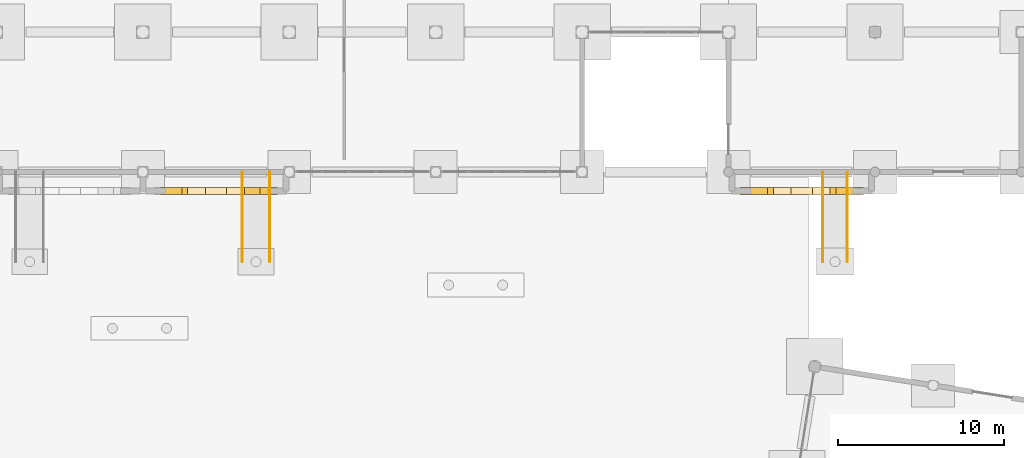
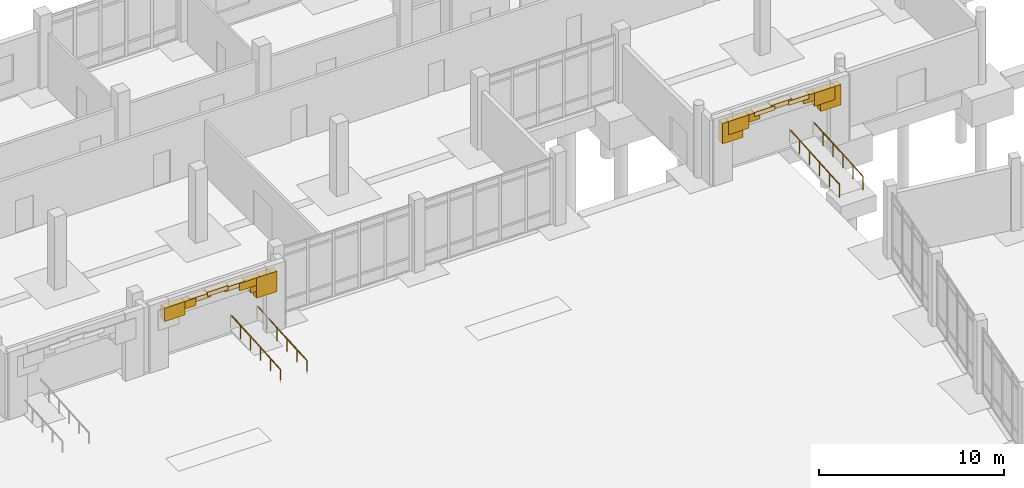
# One storey, part 66 of 72: 17 coverings, 4 railings.
"""IFC4 building model written with IfcOpenShell, lengths in metres."""

from ifc_helpers import new_model, si_unit, direction, frame, origin, origin_2d, place, context, subcontext, project, spatial, rectangle, circle, extrude, material, layer, layer_set, type_object, element, save


model = new_model("IFC4")

# Units and contexts
model_context = context("Model", 3, precision=1e-05, world=origin(), true_north=direction((0.0, 1.0)))
body_context = subcontext(model_context, "Body", "Model", "MODEL_VIEW")
ifc_project = project(units=[si_unit("LENGTHUNIT", "METRE"), si_unit("AREAUNIT", "SQUARE_METRE"), si_unit("VOLUMEUNIT", "CUBIC_METRE"), si_unit("PLANEANGLEUNIT", "RADIAN"), si_unit("MASSUNIT", "GRAM", prefix="KILO")], contexts=[model_context])

# Site, building, storey
site_placement = place(None, origin())
site = spatial("IfcSite", under=ifc_project, at=site_placement, CompositionType="ELEMENT")
building_placement = place(site_placement, origin())
building = spatial("IfcBuilding", under=site, at=building_placement, Name="Cinderway Yard Community Centre", CompositionType="ELEMENT")
storey_placement = place(building_placement, origin())
storey = spatial("IfcBuildingStorey", under=building, at=storey_placement, Name="L00", CompositionType="ELEMENT", Elevation=0.0)

# Coverings
ifc_material_1 = material(Name="Brick Masonry", Category="masonry")
ifc_layer = layer(ifc_material_1, 0.18994140625, Name="Brick Masonry")
ifc_layer_set = layer_set([ifc_layer], Name="Brick Masonry")
covering_type = type_object("IfcCoveringType", Name="ENV-COV-BRK-SCREEN", PredefinedType="CLADDING", material=ifc_layer_set)
covering_1_placement = place(storey_placement, frame((85.70703125, 88.85009765625, 3.115478515625), z_axis=(0.0, 0.0, 1.0), x_axis=(1.0, 0.0, 0.0)))
element("IfcCovering", 1, at=covering_1_placement, inside=storey, type_object=covering_type, Name="Civic Reception East Arched Niche Arch Voussoir 8.2", PredefinedType="CLADDING", context=body_context, shape_type="SweptSolid", body=[
    extrude(rectangle(XDim=1.281005859375, YDim=0.419921875, at=origin_2d()), origin(), (0.0, 0.0, 1.0), 0.875),
])
covering_2_placement = place(storey_placement, frame((86.40087890625, 88.85009765625, 3.495361328125), z_axis=(0.0, 0.0, 1.0), x_axis=(1.0, 0.0, 0.0)))
element("IfcCovering", 2, at=covering_2_placement, inside=storey, type_object=covering_type, Name="Civic Reception East Arched Niche Arch Voussoir 8.3", PredefinedType="CLADDING", context=body_context, shape_type="SweptSolid", body=[
    extrude(rectangle(XDim=1.281005859375, YDim=0.419921875, at=origin_2d()), origin(), (0.0, 0.0, 1.0), 0.4951171875),
])
for number, where, z_axis, x_axis, name in (
    (3, (87.3359375, 88.85009765625, 3.744140625), (0.0, 0.0, 1.0), (1.0, 0.0, 0.0), "Civic Reception East Arched Niche Arch Voussoir 8.4"),
    (4, (88.39990234375, 88.85009765625, 3.830078125), (0.0, 0.0, 1.0), (1.0, 0.0, 0.0), "Civic Reception East Arched Niche Arch Voussoir 8.5"),
    (5, (89.464111328125, 88.85009765625, 3.744140625), (0.0, 0.0, 1.0), (1.0, 0.0, 0.0), "Civic Reception East Arched Niche Arch Voussoir 8.6"),
):
    element("IfcCovering", number, at=place(storey_placement, frame(where, z_axis=z_axis, x_axis=x_axis)), inside=storey, type_object=covering_type, Name=name, PredefinedType="CLADDING", context=body_context, shape_type="SweptSolid", body=[
        extrude(rectangle(XDim=1.281005859375, YDim=0.419921875, at=origin_2d()), origin(), (0.0, 0.0, 1.0), 0.280029296875),
    ])
covering_3_placement = place(storey_placement, frame((90.39892578125, 88.85009765625, 3.495361328125), z_axis=(0.0, 0.0, 1.0), x_axis=(1.0, 0.0, 0.0)))
element("IfcCovering", 6, at=covering_3_placement, inside=storey, type_object=covering_type, Name="Civic Reception East Arched Niche Arch Voussoir 8.7", PredefinedType="CLADDING", context=body_context, shape_type="SweptSolid", body=[
    extrude(rectangle(XDim=1.281005859375, YDim=0.419921875, at=origin_2d()), origin(), (0.0, 0.0, 1.0), 0.4951171875),
])
covering_4_placement = place(storey_placement, frame((91.093017578125, 88.85009765625, 3.115478515625), z_axis=(0.0, 0.0, 1.0), x_axis=(1.0, 0.0, 0.0)))
element("IfcCovering", 7, at=covering_4_placement, inside=storey, type_object=covering_type, Name="Civic Reception East Arched Niche Arch Voussoir 8.8", PredefinedType="CLADDING", context=body_context, shape_type="SweptSolid", body=[
    extrude(rectangle(XDim=1.281005859375, YDim=0.419921875, at=origin_2d()), origin(), (0.0, 0.0, 1.0), 0.875),
])
for number, where, z_axis, x_axis, name in (
    (8, (91.462890625, 88.85009765625, 2.64794921875), (0.0, 0.0, 1.0), (1.0, 0.0, 0.0), "Civic Reception East Arched Niche Arch Voussoir 8.9"),
    (9, (120.537109375, 88.85009765625, 2.64794921875), (0.0, 0.0, 1.0), (1.0, 0.0, 0.0), "Nursery Courtyard Arched Niche Arch Voussoir 9.1"),
):
    element("IfcCovering", number, at=place(storey_placement, frame(where, z_axis=z_axis, x_axis=x_axis)), inside=storey, type_object=covering_type, Name=name, PredefinedType="CLADDING", context=body_context, shape_type="SweptSolid", body=[
        extrude(rectangle(XDim=1.281005859375, YDim=0.419921875, at=origin_2d()), origin(), (0.0, 0.0, 1.0), 1.342041015625),
    ])
covering_5_placement = place(storey_placement, frame((120.906982421875, 88.85009765625, 3.115478515625), z_axis=(0.0, 0.0, 1.0), x_axis=(1.0, 0.0, 0.0)))
element("IfcCovering", 10, at=covering_5_placement, inside=storey, type_object=covering_type, Name="Nursery Courtyard Arched Niche Arch Voussoir 9.2", PredefinedType="CLADDING", context=body_context, shape_type="SweptSolid", body=[
    extrude(rectangle(XDim=1.281005859375, YDim=0.419921875, at=origin_2d()), origin(), (0.0, 0.0, 1.0), 0.875),
])
covering_6_placement = place(storey_placement, frame((121.60107421875, 88.85009765625, 3.495361328125), z_axis=(0.0, 0.0, 1.0), x_axis=(1.0, 0.0, 0.0)))
element("IfcCovering", 11, at=covering_6_placement, inside=storey, type_object=covering_type, Name="Nursery Courtyard Arched Niche Arch Voussoir 9.3", PredefinedType="CLADDING", context=body_context, shape_type="SweptSolid", body=[
    extrude(rectangle(XDim=1.281005859375, YDim=0.419921875, at=origin_2d()), origin(), (0.0, 0.0, 1.0), 0.4951171875),
])
for number, where, z_axis, x_axis, name in (
    (12, (122.535888671875, 88.85009765625, 3.744140625), (0.0, 0.0, 1.0), (1.0, 0.0, 0.0), "Nursery Courtyard Arched Niche Arch Voussoir 9.4"),
    (13, (123.60009765625, 88.85009765625, 3.830078125), (0.0, 0.0, 1.0), (1.0, 0.0, 0.0), "Nursery Courtyard Arched Niche Arch Voussoir 9.5"),
    (14, (124.6640625, 88.85009765625, 3.744140625), (0.0, 0.0, 1.0), (1.0, 0.0, 0.0), "Nursery Courtyard Arched Niche Arch Voussoir 9.6"),
):
    element("IfcCovering", number, at=place(storey_placement, frame(where, z_axis=z_axis, x_axis=x_axis)), inside=storey, type_object=covering_type, Name=name, PredefinedType="CLADDING", context=body_context, shape_type="SweptSolid", body=[
        extrude(rectangle(XDim=1.281005859375, YDim=0.419921875, at=origin_2d()), origin(), (0.0, 0.0, 1.0), 0.280029296875),
    ])
covering_7_placement = place(storey_placement, frame((125.59912109375, 88.85009765625, 3.495361328125), z_axis=(0.0, 0.0, 1.0), x_axis=(1.0, 0.0, 0.0)))
element("IfcCovering", 15, at=covering_7_placement, inside=storey, type_object=covering_type, Name="Nursery Courtyard Arched Niche Arch Voussoir 9.7", PredefinedType="CLADDING", context=body_context, shape_type="SweptSolid", body=[
    extrude(rectangle(XDim=1.281005859375, YDim=0.419921875, at=origin_2d()), origin(), (0.0, 0.0, 1.0), 0.4951171875),
])
covering_8_placement = place(storey_placement, frame((126.29296875, 88.85009765625, 3.115478515625), z_axis=(0.0, 0.0, 1.0), x_axis=(1.0, 0.0, 0.0)))
element("IfcCovering", 16, at=covering_8_placement, inside=storey, type_object=covering_type, Name="Nursery Courtyard Arched Niche Arch Voussoir 9.8", PredefinedType="CLADDING", context=body_context, shape_type="SweptSolid", body=[
    extrude(rectangle(XDim=1.281005859375, YDim=0.419921875, at=origin_2d()), origin(), (0.0, 0.0, 1.0), 0.875),
])
covering_9_placement = place(storey_placement, frame((126.6630859375, 88.85009765625, 2.64794921875), z_axis=(0.0, 0.0, 1.0), x_axis=(1.0, 0.0, 0.0)))
element("IfcCovering", 17, at=covering_9_placement, inside=storey, type_object=covering_type, Name="Nursery Courtyard Arched Niche Arch Voussoir 9.9", PredefinedType="CLADDING", context=body_context, shape_type="SweptSolid", body=[
    extrude(rectangle(XDim=1.281005859375, YDim=0.419921875, at=origin_2d()), origin(), (0.0, 0.0, 1.0), 1.342041015625),
])

# Railings
ifc_material_2 = material(Name="Painted Galvanised Steel", Category="steel")
railing_type = type_object("IfcRailingType", Name="INT-RAL-HND090", PredefinedType="HANDRAIL", material=ifc_material_2)
for number, where, name in (
    (18, (91.6279296875, 84.60009765625, -0.179931640625), "Reception East Accessible Ramp Handrail L"),
    (19, (89.971923828125, 84.60009765625, -0.179931640625), "Reception East Accessible Ramp Handrail R"),
    (20, (126.3359375, 84.60009765625, -0.179931640625), "Nursery Play-Court Accessible Ramp Handrail L"),
    (21, (124.864013671875, 84.60009765625, -0.179931640625), "Nursery Play-Court Accessible Ramp Handrail R"),
):
    element("IfcRailing", number, at=place(storey_placement, frame(where)), inside=storey, type_object=railing_type, Name=name, PredefinedType="HANDRAIL", context=body_context, shape_type="SweptSolid", body=[
        extrude(circle(Radius=0.02392578125, at=origin_2d()), frame((0.0, 0.0, 0.8759765625), z_axis=(0.0, 0.997786754453, 0.066495057241), x_axis=(-1.0, 0.0, 0.0)), (0.0, 0.0, 1.0), 5.411865234375),
        extrude(circle(Radius=0.02099609375, at=origin_2d()), origin(), (0.0, 0.0, 1.0), 0.851806640625),
        extrude(circle(Radius=0.02099609375, at=origin_2d()), frame((0.0, 1.080078125, 0.072021484375)), (0.0, 0.0, 1.0), 0.851806640625),
        extrude(circle(Radius=0.02099609375, at=origin_2d()), frame((0.0, 2.159912109375, 0.14404296875)), (0.0, 0.0, 1.0), 0.851806640625),
        extrude(circle(Radius=0.02099609375, at=origin_2d()), frame((0.0, 3.239990234375, 0.2158203125)), (0.0, 0.0, 1.0), 0.851806640625),
        extrude(circle(Radius=0.02099609375, at=origin_2d()), frame((0.0, 4.31982421875, 0.287841796875)), (0.0, 0.0, 1.0), 0.851806640625),
        extrude(circle(Radius=0.02099609375, at=origin_2d()), frame((0.0, 5.39990234375, 0.35986328125)), (0.0, 0.0, 1.0), 0.851806640625),
    ])

save(model, "model.ifc")
